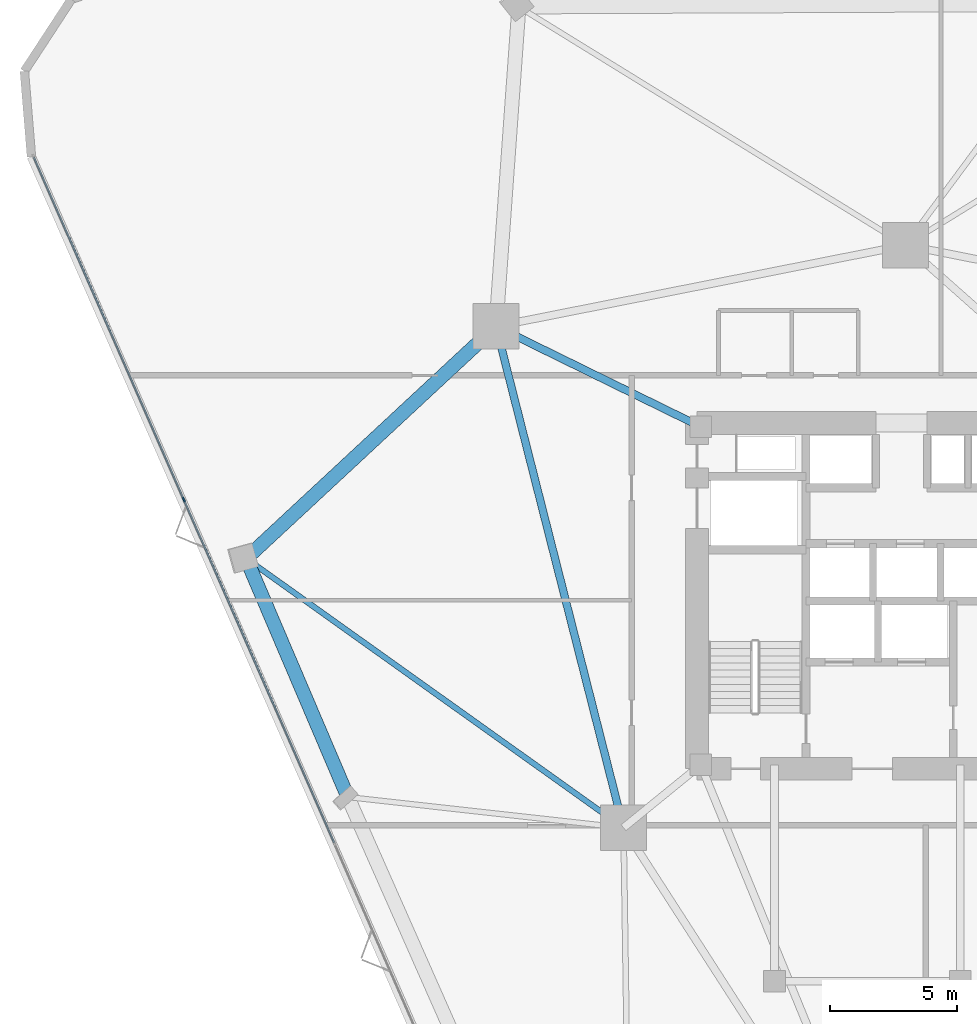
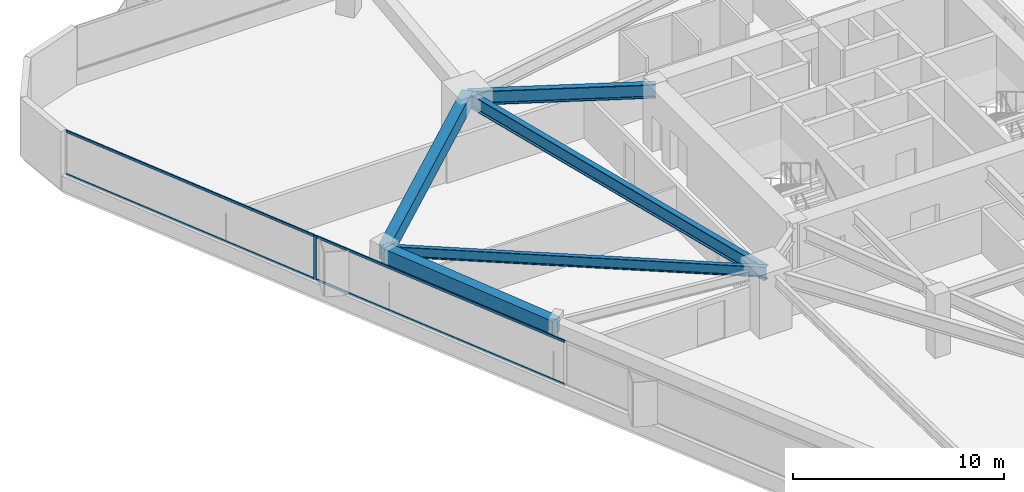
# One storey, part 7 of 20: 5 beams, 5 members, 1 element without a shape of its own.
"""IFC4 building model written with IfcOpenShell, lengths in metres."""

from ifc_helpers import new_model, si_unit, direction, frame, origin, origin_2d, place, context, subcontext, project, spatial, rectangle, i_section, extrude, material, layer, layer_set, material_profile, profile_set, type_object, element, aggregate, save


model = new_model("IFC4")

# Units and contexts
model_context = context("Model", 3, precision=1e-05, world=origin(), true_north=direction((0.0, 1.0)))
body_context = subcontext(model_context, "Body", "Model", "MODEL_VIEW")
ifc_project = project(units=[si_unit("LENGTHUNIT", "METRE"), si_unit("AREAUNIT", "SQUARE_METRE"), si_unit("VOLUMEUNIT", "CUBIC_METRE"), si_unit("PLANEANGLEUNIT", "RADIAN"), si_unit("MASSUNIT", "GRAM", prefix="KILO")], contexts=[model_context])

# Site, building, storey
site_placement = place(None, origin())
site = spatial("IfcSite", under=ifc_project, at=site_placement, CompositionType="ELEMENT")
building_placement = place(site_placement, origin())
building = spatial("IfcBuilding", under=site, at=building_placement, Name="Talyreon Biosciences Tower", CompositionType="ELEMENT")
storey_placement = place(building_placement, frame((0.0, 0.0, 30.10009765625)))
storey = spatial("IfcBuildingStorey", under=building, at=storey_placement, Name="L07", CompositionType="ELEMENT", Elevation=30.10009765625)

# Curtain wall, members
ifc_material_1 = material(Name="Thermally broken aluminium and low-E glazing", Category="aluminium")
ifc_layer = layer(ifc_material_1, 0.195068359375)
ifc_layer_set = layer_set([ifc_layer], Name="Thermally broken aluminium and low-E glazing")
curtain_wall_type = type_object("IfcCurtainWallType", Name="CurtainWall_Zone1WetLab", PredefinedType="NOTDEFINED", material=ifc_layer_set)
curtain_wall_placement = place(storey_placement, origin())
curtain_wall = element("IfcCurtainWall", 1, at=curtain_wall_placement, inside=storey, type_object=curtain_wall_type, Name="L07 Unitised Curtain Wall FCW-L07-00", PredefinedType="NOTDEFINED")
ifc_material_2 = material(Name="Anodised thermally broken aluminium", Category="aluminium")
ifc_material_profile_1 = material_profile(ifc_material_2, rectangle(XDim=0.06494140625, YDim=0.179931640625, at=origin_2d()), Name="ALUM MULLION 65x180")
ifc_profile_set_1 = profile_set([ifc_material_profile_1], Name="Anodised thermally broken aluminium")
member_type_1 = type_object("IfcMemberType", Name="CWMullion_65x180", PredefinedType="MULLION", material=ifc_profile_set_1)
member_1_placement = place(storey_placement, frame((37.621337890625, 71.783935546875, 0.809814453125), z_axis=(0.0, 0.0, 1.0), x_axis=(-0.915926900592, -0.401345129249, 0.0)))
member_1 = element("IfcMember", 2, at=member_1_placement, type_object=member_type_1, Name="CW2 mullion 5", PredefinedType="MULLION", context=body_context, shape_type="SweptSolid", body=[
    extrude(rectangle(XDim=0.06494140625, YDim=0.179931640625, at=origin_2d()), origin(), (0.0, 0.0, 1.0), 2.565185546875),
])
ifc_material_profile_2 = material_profile(ifc_material_2, rectangle(XDim=0.06494140625, YDim=0.139892578125, at=origin_2d()), Name="ALUM TRANSOM 65x140")
ifc_profile_set_2 = profile_set([ifc_material_profile_2], Name="Anodised thermally broken aluminium")
member_type_2 = type_object("IfcMemberType", Name="CWTransom_65x140", PredefinedType="USERDEFINED", material=ifc_profile_set_2)
member_2_placement = place(storey_placement, frame((43.530517578125, 58.298095703125, 0.84228515625), z_axis=(-0.401345318485, 0.915926817672, 0.0), x_axis=(-0.915926817672, -0.401345318485, 0.0)))
member_2 = element("IfcMember", 3, at=member_2_placement, type_object=member_type_2, Name="CW2 transom 4.1", ObjectType="TRANSOM", PredefinedType="USERDEFINED", context=body_context, shape_type="SweptSolid", body=[
    extrude(rectangle(XDim=0.06494140625, YDim=0.139892578125, at=origin_2d()), origin(), (0.0, 0.0, 1.0), 14.691162109375),
])
member_3_placement = place(storey_placement, frame((43.530517578125, 58.298095703125, 3.34228515625), z_axis=(-0.401345318485, 0.915926817672, 0.0), x_axis=(-0.915926817672, -0.401345318485, 0.0)))
member_3 = element("IfcMember", 4, at=member_3_placement, type_object=member_type_2, Name="CW2 transom 4.2", ObjectType="TRANSOM", PredefinedType="USERDEFINED", context=body_context, shape_type="SweptSolid", body=[
    extrude(rectangle(XDim=0.06494140625, YDim=0.139892578125, at=origin_2d()), origin(), (0.0, 0.0, 1.0), 14.691162109375),
])
member_4_placement = place(storey_placement, frame((37.608154296875, 71.8134765625, 0.84228515625), z_axis=(-0.401337753299, 0.915930132585, 0.0), x_axis=(-0.915930132585, -0.401337753299, 0.0)))
member_4 = element("IfcMember", 5, at=member_4_placement, type_object=member_type_2, Name="CW2 transom 5.1", ObjectType="TRANSOM", PredefinedType="USERDEFINED", context=body_context, shape_type="SweptSolid", body=[
    extrude(rectangle(XDim=0.06494140625, YDim=0.139892578125, at=origin_2d()), origin(), (0.0, 0.0, 1.0), 14.65869140625),
])
member_5_placement = place(storey_placement, frame((37.608154296875, 71.8134765625, 3.34228515625), z_axis=(-0.401337753299, 0.915930132585, 0.0), x_axis=(-0.915930132585, -0.401337753299, 0.0)))
member_5 = element("IfcMember", 6, at=member_5_placement, type_object=member_type_2, Name="CW2 transom 5.2", ObjectType="TRANSOM", PredefinedType="USERDEFINED", context=body_context, shape_type="SweptSolid", body=[
    extrude(rectangle(XDim=0.06494140625, YDim=0.139892578125, at=origin_2d()), origin(), (0.0, 0.0, 1.0), 14.65869140625),
])
aggregate(curtain_wall, [member_1, member_2, member_3, member_4, member_5])

# Beams
ifc_material_3 = material(Name="Precast concrete C45/55", Category="concrete")
ifc_material_profile_3 = material_profile(ifc_material_3, rectangle(XDim=0.550048828125, YDim=0.85009765625, at=origin_2d()), Name="RCB 550x850")
ifc_profile_set_3 = profile_set([ifc_material_profile_3], Name="Precast concrete C45/55")
beam_type_1 = type_object("IfcBeamType", Name="ExpressedSpandrel_550x850", PredefinedType="SPANDREL", material=ifc_profile_set_3)
beam_1_placement = place(storey_placement, frame((49.897705078125, 78.5986328125, 2.949951171875), z_axis=(-0.73256006322, -0.680702397362, 0.0), x_axis=(0.680702397362, -0.73256006322, 0.0)))
element("IfcBeam", 7, at=beam_1_placement, inside=storey, type_object=beam_type_1, Name="L07 Expressed Horizontal Concrete Spandrel 09", PredefinedType="SPANDREL", context=body_context, shape_type="SweptSolid", body=[
    extrude(rectangle(XDim=0.550048828125, YDim=0.85009765625, at=origin_2d()), origin(), (0.0, 0.0, 1.0), 13.412841796875),
])
beam_2_placement = place(storey_placement, frame((40.072021484375, 69.468505859375, 2.949951171875), z_axis=(0.392263461416, -0.919852910436, 0.0), x_axis=(0.919852910436, 0.392263461416, 0.0)))
element("IfcBeam", 8, at=beam_2_placement, inside=storey, type_object=beam_type_1, Name="L07 Expressed Horizontal Concrete Spandrel 10", PredefinedType="SPANDREL", context=body_context, shape_type="SweptSolid", body=[
    extrude(rectangle(XDim=0.550048828125, YDim=0.85009765625, at=origin_2d()), origin(), (0.0, 0.0, 1.0), 10.200439453125),
])
ifc_material_4 = material(Name="Steel SM355", Category="steel")
ifc_material_profile_4 = material_profile(ifc_material_4, i_section(OverallWidth=0.300048828125, OverallDepth=0.800048828125, WebThickness=0.017578125, FlangeThickness=0.032958984375, FilletRadius=0.030029296875, at=origin_2d()), Name="HE800B")
ifc_profile_set_4 = profile_set([ifc_material_profile_4], Name="Steel SM355")
beam_type_2 = type_object("IfcBeamType", Name="SteelGirder_HE800B", PredefinedType="BEAM", material=ifc_profile_set_4)
beam_3_placement = place(storey_placement, frame((49.897705078125, 78.5986328125, 2.974853515625), z_axis=(0.246537082299, -0.969133358755, 0.0), x_axis=(0.969133358755, 0.246537082299, 0.0)))
element("IfcBeam", 9, at=beam_3_placement, inside=storey, type_object=beam_type_2, Name="L07 Mega-Ring Girder 5", PredefinedType="BEAM", context=body_context, shape_type="SweptSolid", body=[
    extrude(i_section(OverallWidth=0.300048828125, OverallDepth=0.800048828125, WebThickness=0.017578125, FlangeThickness=0.032958984375, FilletRadius=0.030029296875, at=origin_2d()), origin(), (0.0, 0.0, 1.0), 20.34619140625),
])
beam_4_placement = place(storey_placement, frame((57.949951171875, 74.64990234375, 2.974853515625), z_axis=(-0.897852360314, 0.440296648952, 0.0), x_axis=(-0.440296648952, -0.897852360314, 0.0)))
element("IfcBeam", 10, at=beam_4_placement, inside=storey, type_object=beam_type_2, Name="L07 Radial Primary Girder 5", PredefinedType="BEAM", context=body_context, shape_type="SweptSolid", body=[
    extrude(i_section(OverallWidth=0.300048828125, OverallDepth=0.800048828125, WebThickness=0.017578125, FlangeThickness=0.032958984375, FilletRadius=0.030029296875, at=origin_2d()), origin(), (0.0, 0.0, 1.0), 8.96826171875),
])
ifc_material_profile_5 = material_profile(ifc_material_4, i_section(OverallWidth=0.219970703125, OverallDepth=0.60009765625, WebThickness=0.011962890625, FlangeThickness=0.01904296875, FilletRadius=0.02392578125, at=origin_2d()), Name="IPE600")
ifc_profile_set_5 = profile_set([ifc_material_profile_5], Name="Steel SM355")
beam_type_3 = type_object("IfcBeamType", Name="SteelJoist_IPE600", PredefinedType="JOIST", material=ifc_profile_set_5)
beam_5_placement = place(storey_placement, frame((54.913818359375, 58.88037109375, 3.074951171875), z_axis=(-0.814074443331, 0.580760536466, 0.0), x_axis=(-0.580760536466, -0.814074443331, 0.0)))
element("IfcBeam", 11, at=beam_5_placement, inside=storey, type_object=beam_type_3, Name="L07 Radial Composite Floor Joist PC-SW1", PredefinedType="JOIST", context=body_context, shape_type="SweptSolid", body=[
    extrude(i_section(OverallWidth=0.219970703125, OverallDepth=0.60009765625, WebThickness=0.011962890625, FlangeThickness=0.01904296875, FilletRadius=0.02392578125, at=origin_2d()), origin(), (0.0, 0.0, 1.0), 18.2314453125),
])

save(model, "model.ifc")
